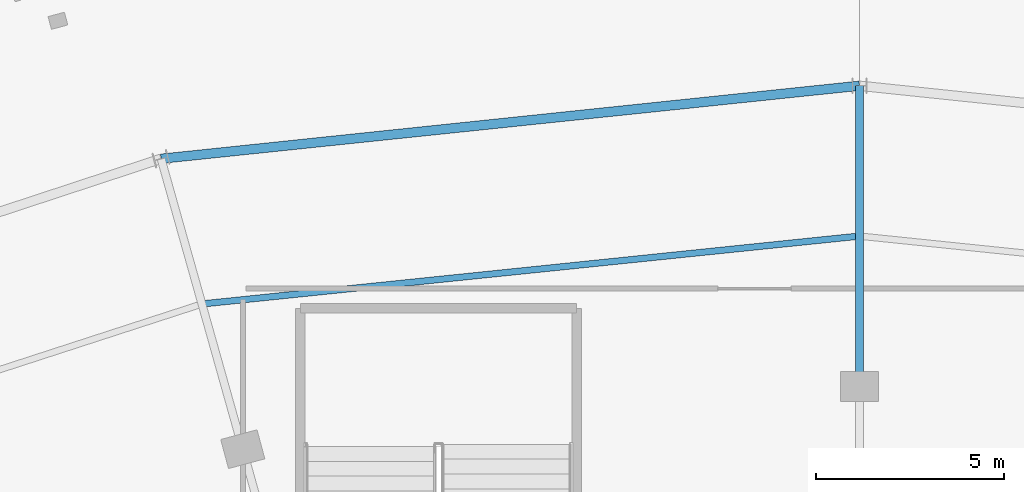
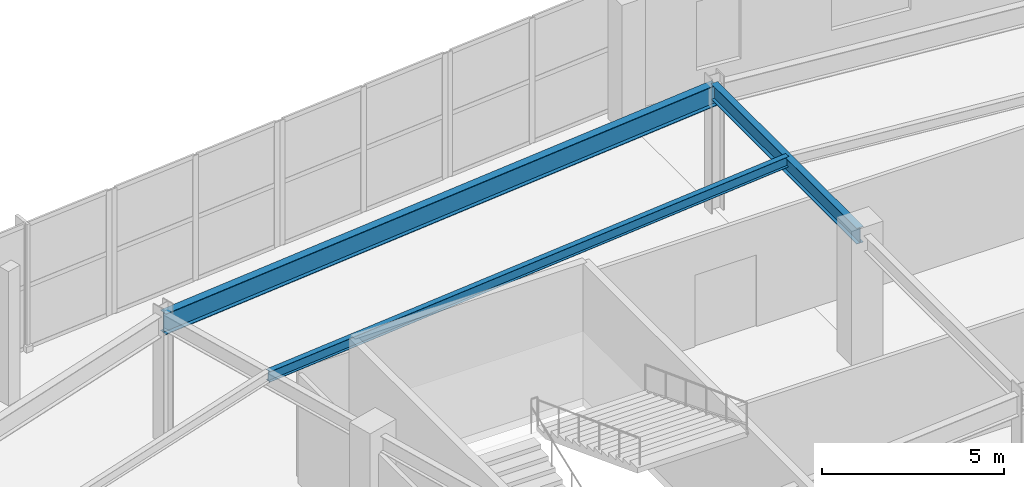
# One storey, part 35 of 107: 3 beams.
"""IFC4 building model written with IfcOpenShell, lengths in metres."""

from ifc_helpers import new_model, si_unit, direction, frame, origin, origin_2d, place, context, subcontext, project, spatial, i_section, extrude, material, material_profile, profile_set, type_object, element, save


model = new_model("IFC4")

# Units and contexts
model_context = context("Model", 3, precision=1e-05, world=origin(), true_north=direction((0.0, 1.0)))
body_context = subcontext(model_context, "Body", "Model", "MODEL_VIEW")
ifc_project = project(units=[si_unit("LENGTHUNIT", "METRE"), si_unit("AREAUNIT", "SQUARE_METRE"), si_unit("VOLUMEUNIT", "CUBIC_METRE"), si_unit("PLANEANGLEUNIT", "RADIAN"), si_unit("MASSUNIT", "GRAM", prefix="KILO")], contexts=[model_context])

# Site, building, storey
site_placement = place(None, origin())
site = spatial("IfcSite", under=ifc_project, at=site_placement, CompositionType="ELEMENT")
building_placement = place(site_placement, origin())
building = spatial("IfcBuilding", under=site, at=building_placement, Name="Kalgoora Escarpment Arena", CompositionType="ELEMENT")
storey_placement = place(building_placement, frame((0.0, 0.0, 5.39990234375)))
storey = spatial("IfcBuildingStorey", under=building, at=storey_placement, Name="L01", CompositionType="ELEMENT", Elevation=5.39990234375)

# Beams
ifc_material_1 = material(Name="Structural steel AS/NZS 3679 (300 MPa)", Category="steel")
ifc_material_profile_1 = material_profile(ifc_material_1, i_section(OverallWidth=0.1708984375, OverallDepth=0.35205078125, WebThickness=0.0068359375, FlangeThickness=0.009765625, at=origin_2d()))
ifc_profile_set_1 = profile_set([ifc_material_profile_1], Name="Structural steel AS/NZS 3679 (300 MPa)")
beam_type_1 = type_object("IfcBeamType", Name="BM-BEAM-360UB44.7", PredefinedType="BEAM", material=ifc_profile_set_1)
beam_1_placement = place(storey_placement, frame((92.39990234375, 117.0, 4.044189453125), z_axis=(-0.994715233773, -0.102672312238, 0.0), x_axis=(0.102672312238, -0.994715233773, 0.0)))
element("IfcBeam", 1, at=beam_1_placement, inside=storey, type_object=beam_type_1, Name="L01 Concourse secondary ring beam 360UB44.7", PredefinedType="BEAM", context=body_context, shape_type="SweptSolid", body=[
    extrude(i_section(OverallWidth=0.1708984375, OverallDepth=0.35205078125, WebThickness=0.0068359375, FlangeThickness=0.009765625, at=origin_2d()), origin(), (0.0, 0.0, 1.0), 17.589111328125),
])
ifc_material_2 = material(Name="Structural steel AS/NZS 3679 (300 MPa)", Category="steel")
ifc_material_profile_2 = material_profile(ifc_material_2, i_section(OverallWidth=0.208984375, OverallDepth=0.532958984375, WebThickness=0.01025390625, FlangeThickness=0.015625, at=origin_2d()))
ifc_profile_set_2 = profile_set([ifc_material_profile_2], Name="Structural steel AS/NZS 3679 (300 MPa)")
beam_type_2 = type_object("IfcBeamType", Name="BM-GIRDER-530UB92.4", PredefinedType="USERDEFINED", material=ifc_profile_set_2)
beam_2_placement = place(storey_placement, frame((92.39990234375, 113.0, 3.95361328125), z_axis=(0.0, 1.0, 0.0), x_axis=(-1.0, 0.0, 0.0)))
element("IfcBeam", 2, at=beam_2_placement, inside=storey, type_object=beam_type_2, Name="L01 Radial concourse girder 530UB92.4", ObjectType="GIRDER", PredefinedType="USERDEFINED", context=body_context, shape_type="SweptSolid", body=[
    extrude(i_section(OverallWidth=0.208984375, OverallDepth=0.532958984375, WebThickness=0.01025390625, FlangeThickness=0.015625, at=origin_2d()), origin(), (0.0, 0.0, 1.0), 8.0),
])
ifc_material_3 = material(Name="Structural steel AS/NZS 3679 (300 MPa)", Category="steel")
ifc_material_profile_3 = material_profile(ifc_material_3, i_section(OverallWidth=0.25, OverallDepth=0.699951171875, WebThickness=0.010009765625, FlangeThickness=0.02001953125, at=origin_2d()))
ifc_profile_set_3 = profile_set([ifc_material_profile_3], Name="Structural steel AS/NZS 3679 (300 MPa)")
beam_type_3 = type_object("IfcBeamType", Name="BM-SPANDREL-700WB130", PredefinedType="SPANDREL", material=ifc_profile_set_3)
beam_3_placement = place(storey_placement, frame((92.39990234375, 121.0, 3.8701171875), z_axis=(-0.994583005347, -0.103945396599, 0.0), x_axis=(0.103945396599, -0.994583005347, 0.0)))
element("IfcBeam", 3, at=beam_3_placement, inside=storey, type_object=beam_type_3, Name="L01 Circumferential concourse girder RCONC2 700WB130", PredefinedType="SPANDREL", context=body_context, shape_type="SweptSolid", body=[
    extrude(i_section(OverallWidth=0.25, OverallDepth=0.699951171875, WebThickness=0.010009765625, FlangeThickness=0.02001953125, at=origin_2d()), origin(), (0.0, 0.0, 1.0), 18.684326171875),
])

save(model, "model.ifc")
